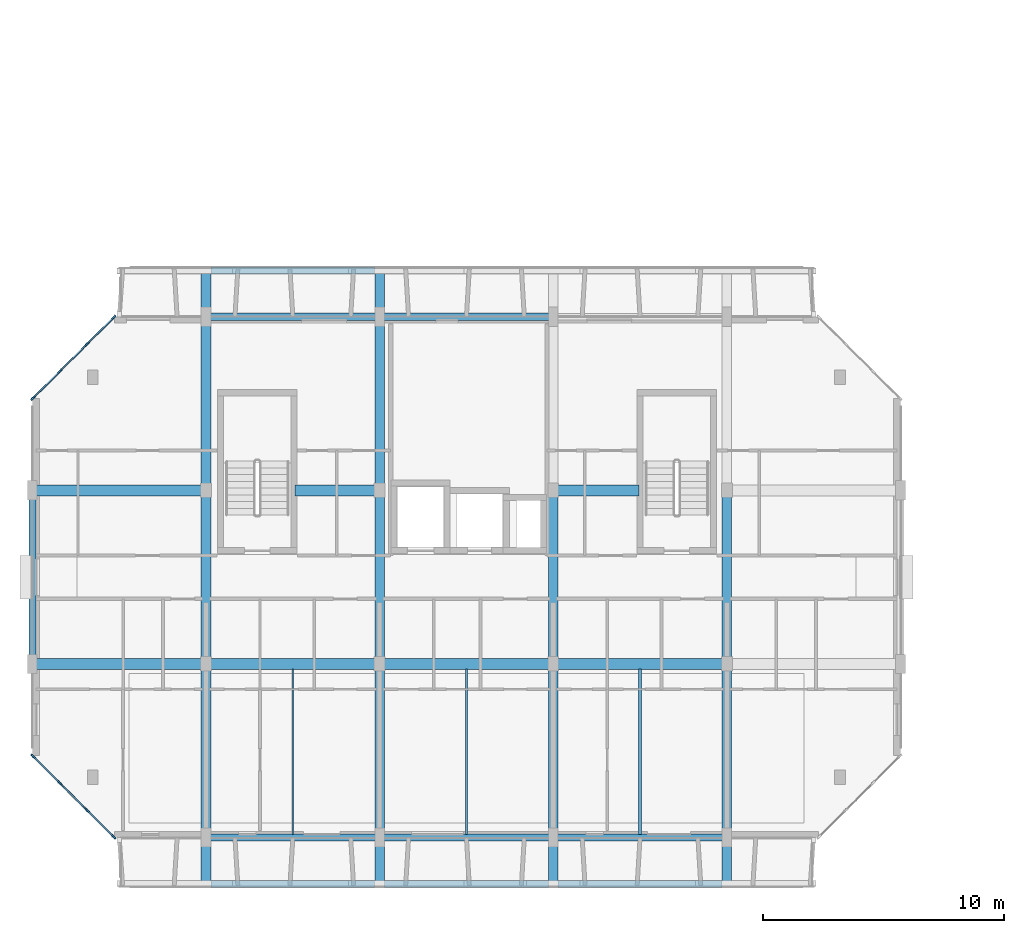
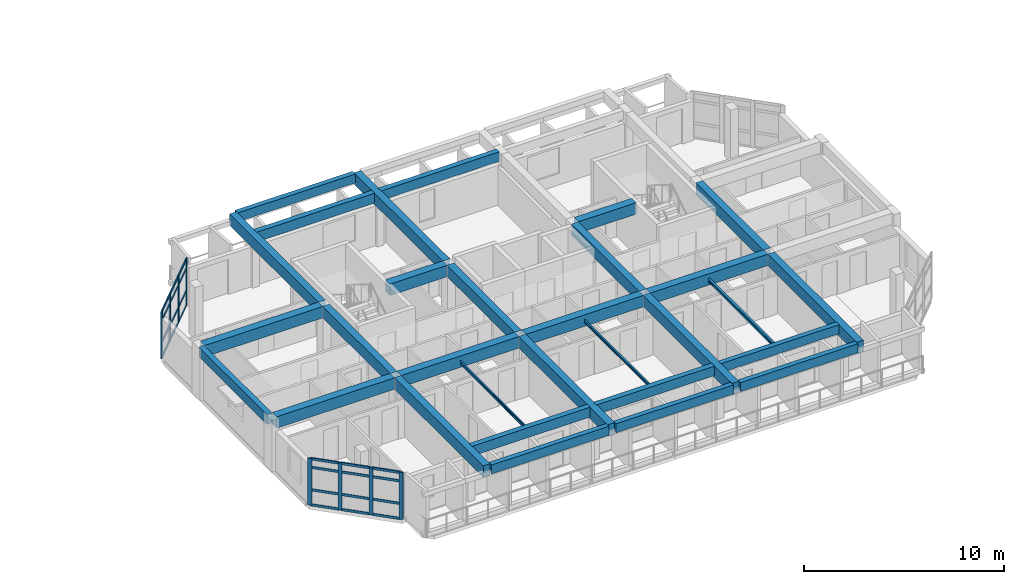
# One storey, part 3 of 46: 32 members, 30 beams, 2 elements without a shape of their own.
"""IFC4 building model written with IfcOpenShell, lengths in metres."""

from ifc_helpers import new_model, si_unit, direction, frame, origin, origin_2d, place, context, subcontext, project, spatial, rectangle, i_section, u_section, extrude, material, layer, layer_set, material_profile, profile_set, type_object, element, aggregate, save


model = new_model("IFC4")

# Units and contexts
model_context = context("Model", 3, precision=1e-05, world=origin(), true_north=direction((0.0, 1.0)))
body_context = subcontext(model_context, "Body", "Model", "MODEL_VIEW")
ifc_project = project(units=[si_unit("LENGTHUNIT", "METRE"), si_unit("AREAUNIT", "SQUARE_METRE"), si_unit("VOLUMEUNIT", "CUBIC_METRE"), si_unit("PLANEANGLEUNIT", "RADIAN"), si_unit("MASSUNIT", "GRAM", prefix="KILO")], contexts=[model_context])

# Site, building, storey
site_placement = place(None, origin())
site = spatial("IfcSite", under=ifc_project, at=site_placement, CompositionType="ELEMENT")
building_placement = place(site_placement, origin())
building = spatial("IfcBuilding", under=site, at=building_placement, Name="Ochrevale Crest", CompositionType="ELEMENT")
storey_placement = place(building_placement, frame((0.0, 0.0, 24.449951171875)))
storey = spatial("IfcBuildingStorey", under=building, at=storey_placement, Name="L07", CompositionType="ELEMENT", Elevation=24.449951171875)

# Beams
ifc_material_1 = material(Name="Precast concrete C50/60", Category="concrete")
ifc_material_profile_1 = material_profile(ifc_material_1, rectangle(XDim=0.39990234375, YDim=0.699951171875, at=origin_2d()), Name="PC 400x700")
ifc_profile_set_1 = profile_set([ifc_material_profile_1], Name="Precast concrete C50/60")
beam_type_1 = type_object("IfcBeamType", Name="BM-PC400x700", PredefinedType="BEAM", material=ifc_profile_set_1)
beam_1_placement = place(storey_placement, frame((7.199951171875, 12.47998046875, 2.800048828125), z_axis=(0.0, 1.0, 0.0), x_axis=(-1.0, 0.0, 0.0)))
element("IfcBeam", 1, at=beam_1_placement, inside=storey, type_object=beam_type_1, Name="Block A L07 N-S beam X=7.2", PredefinedType="BEAM", context=body_context, shape_type="SweptSolid", body=[
    extrude(rectangle(XDim=0.39990234375, YDim=0.699951171875, at=origin_2d()), origin(), (0.0, 0.0, 1.0), 8.9150390625),
])
beam_2_placement = place(storey_placement, frame((7.199951171875, 21.804931640625, 2.800048828125), z_axis=(0.0, 1.0, 0.0), x_axis=(-1.0, 0.0, 0.0)))
element("IfcBeam", 2, at=beam_2_placement, inside=storey, type_object=beam_type_1, Name="Block A L07 N-S beam X=7.2", PredefinedType="BEAM", context=body_context, shape_type="SweptSolid", body=[
    extrude(rectangle(XDim=0.39990234375, YDim=0.699951171875, at=origin_2d()), origin(), (0.0, 0.0, 1.0), 6.7900390625),
])
for number, where, z_axis, x_axis, name in (
    (3, (7.199951171875, 29.0048828125, 2.800048828125), (0.0, 1.0, 0.0), (-1.0, 0.0, 0.0), "Block A L07 N-S beam X=7.2"),
    (4, (14.39990234375, 12.47998046875, 2.800048828125), (0.0, 1.0, 0.0), (-1.0, 0.0, 0.0), "Block A L07 N-S beam X=14.4"),
):
    element("IfcBeam", number, at=place(storey_placement, frame(where, z_axis=z_axis, x_axis=x_axis)), inside=storey, type_object=beam_type_1, Name=name, PredefinedType="BEAM", context=body_context, shape_type="SweptSolid", body=[
        extrude(rectangle(XDim=0.39990234375, YDim=0.699951171875, at=origin_2d()), origin(), (0.0, 0.0, 1.0), 8.9150390625),
    ])
beam_3_placement = place(storey_placement, frame((14.39990234375, 21.804931640625, 2.800048828125), z_axis=(0.0, 1.0, 0.0), x_axis=(-1.0, 0.0, 0.0)))
element("IfcBeam", 5, at=beam_3_placement, inside=storey, type_object=beam_type_1, Name="Block A L07 N-S beam X=14.4", PredefinedType="BEAM", context=body_context, shape_type="SweptSolid", body=[
    extrude(rectangle(XDim=0.39990234375, YDim=0.699951171875, at=origin_2d()), origin(), (0.0, 0.0, 1.0), 6.7900390625),
])
for number, where, z_axis, x_axis, name in (
    (6, (14.39990234375, 29.0048828125, 2.800048828125), (0.0, 1.0, 0.0), (-1.0, 0.0, 0.0), "Block A L07 N-S beam X=14.4"),
    (7, (21.60009765625, 12.47998046875, 2.800048828125), (0.0, 1.0, 0.0), (-1.0, 0.0, 0.0), "Block A L07 N-S beam X=21.6"),
):
    element("IfcBeam", number, at=place(storey_placement, frame(where, z_axis=z_axis, x_axis=x_axis)), inside=storey, type_object=beam_type_1, Name=name, PredefinedType="BEAM", context=body_context, shape_type="SweptSolid", body=[
        extrude(rectangle(XDim=0.39990234375, YDim=0.699951171875, at=origin_2d()), origin(), (0.0, 0.0, 1.0), 8.9150390625),
    ])
beam_4_placement = place(storey_placement, frame((21.60009765625, 21.804931640625, 2.800048828125), z_axis=(0.0, 1.0, 0.0), x_axis=(-1.0, 0.0, 0.0)))
element("IfcBeam", 8, at=beam_4_placement, inside=storey, type_object=beam_type_1, Name="Block A L07 N-S beam X=21.6", PredefinedType="BEAM", context=body_context, shape_type="SweptSolid", body=[
    extrude(rectangle(XDim=0.39990234375, YDim=0.699951171875, at=origin_2d()), origin(), (0.0, 0.0, 1.0), 6.7900390625),
])
beam_5_placement = place(storey_placement, frame((28.800048828125, 12.47998046875, 2.800048828125), z_axis=(0.0, 1.0, 0.0), x_axis=(-1.0, 0.0, 0.0)))
element("IfcBeam", 9, at=beam_5_placement, inside=storey, type_object=beam_type_1, Name="Block A L07 N-S beam X=28.8", PredefinedType="BEAM", context=body_context, shape_type="SweptSolid", body=[
    extrude(rectangle(XDim=0.39990234375, YDim=0.699951171875, at=origin_2d()), origin(), (0.0, 0.0, 1.0), 8.9150390625),
])
beam_6_placement = place(storey_placement, frame((28.800048828125, 21.804931640625, 2.800048828125), z_axis=(0.0, 1.0, 0.0), x_axis=(-1.0, 0.0, 0.0)))
element("IfcBeam", 10, at=beam_6_placement, inside=storey, type_object=beam_type_1, Name="Block A L07 N-S beam X=28.8", PredefinedType="BEAM", context=body_context, shape_type="SweptSolid", body=[
    extrude(rectangle(XDim=0.39990234375, YDim=0.699951171875, at=origin_2d()), origin(), (0.0, 0.0, 1.0), 6.7900390625),
])
ifc_material_2 = material(Name="Steel S355", Category="steel")
ifc_material_profile_2 = material_profile(ifc_material_2, u_section(Depth=0.199951171875, FlangeWidth=0.074951171875, WebThickness=0.006103515625, FlangeThickness=0.011962890625, FilletRadius=0.011962890625, at=origin_2d()), Name="200PFC")
ifc_profile_set_2 = profile_set([ifc_material_profile_2], Name="Steel S355")
beam_type_2 = type_object("IfcBeamType", Name="BM-PFC200", PredefinedType="JOIST", material=ifc_profile_set_2)
beam_7_placement = place(storey_placement, frame((10.800048828125, 14.5380859375, 2.775146484375), z_axis=(0.0, 1.0, 0.0), x_axis=(-1.0, 0.0, 0.0)))
element("IfcBeam", 11, at=beam_7_placement, inside=storey, type_object=beam_type_2, Name="Block A L07 composite plank trimmer beam 2", PredefinedType="JOIST", context=body_context, shape_type="SweptSolid", body=[
    extrude(u_section(Depth=0.199951171875, FlangeWidth=0.074951171875, WebThickness=0.006103515625, FlangeThickness=0.011962890625, FilletRadius=0.011962890625, at=origin_2d()), origin(), (0.0, 0.0, 1.0), 6.848876953125),
])
ifc_material_3 = material(Name="Concrete C50/60", Category="concrete")
ifc_material_profile_3 = material_profile(ifc_material_3, rectangle(XDim=0.449951171875, YDim=0.699951171875, at=origin_2d()), Name="RC 450x700")
ifc_profile_set_3 = profile_set([ifc_material_profile_3], Name="Concrete C50/60")
beam_type_3 = type_object("IfcBeamType", Name="BM-PG450x700", PredefinedType="USERDEFINED", material=ifc_profile_set_3)
beam_8_placement = place(storey_placement, frame((0.175048828125, 21.60009765625, 2.800048828125), z_axis=(1.0, 0.0, 0.0), x_axis=(0.0, 1.0, 0.0)))
element("IfcBeam", 12, at=beam_8_placement, inside=storey, type_object=beam_type_3, Name="Block A L07 E-W beam Y=21.6", ObjectType="GIRDER", PredefinedType="USERDEFINED", context=body_context, shape_type="SweptSolid", body=[
    extrude(rectangle(XDim=0.449951171875, YDim=0.699951171875, at=origin_2d()), origin(), (0.0, 0.0, 1.0), 6.824951171875),
])
beam_9_placement = place(storey_placement, frame((7.39990234375, 21.60009765625, 2.800048828125), z_axis=(1.0, 0.0, 0.0), x_axis=(0.0, 1.0, 0.0)))
element("IfcBeam", 13, at=beam_9_placement, inside=storey, type_object=beam_type_3, Name="Block A L07 E-W beam Y=21.6", ObjectType="GIRDER", PredefinedType="USERDEFINED", context=body_context, shape_type="SweptSolid", body=[
    extrude(rectangle(XDim=0.449951171875, YDim=0.699951171875, at=origin_2d()), origin(), (0.0, 0.0, 1.0), 6.800048828125),
])
beam_10_placement = place(storey_placement, frame((14.60009765625, 21.60009765625, 2.800048828125), z_axis=(1.0, 0.0, 0.0), x_axis=(0.0, 1.0, 0.0)))
element("IfcBeam", 14, at=beam_10_placement, inside=storey, type_object=beam_type_3, Name="Block A L07 E-W beam Y=21.6", ObjectType="GIRDER", PredefinedType="USERDEFINED", context=body_context, shape_type="SweptSolid", body=[
    extrude(rectangle(XDim=0.449951171875, YDim=0.699951171875, at=origin_2d()), origin(), (0.0, 0.0, 1.0), 6.7998046875),
])
beam_11_placement = place(storey_placement, frame((21.800048828125, 21.60009765625, 2.800048828125), z_axis=(1.0, 0.0, 0.0), x_axis=(0.0, 1.0, 0.0)))
element("IfcBeam", 15, at=beam_11_placement, inside=storey, type_object=beam_type_3, Name="Block A L07 E-W beam Y=21.6", ObjectType="GIRDER", PredefinedType="USERDEFINED", context=body_context, shape_type="SweptSolid", body=[
    extrude(rectangle(XDim=0.449951171875, YDim=0.699951171875, at=origin_2d()), origin(), (0.0, 0.0, 1.0), 6.800048828125),
])
beam_12_placement = place(storey_placement, frame((0.175048828125, 28.800048828125, 2.800048828125), z_axis=(1.0, 0.0, 0.0), x_axis=(0.0, 1.0, 0.0)))
element("IfcBeam", 16, at=beam_12_placement, inside=storey, type_object=beam_type_3, Name="Block A L07 E-W beam Y=28.8", ObjectType="GIRDER", PredefinedType="USERDEFINED", context=body_context, shape_type="SweptSolid", body=[
    extrude(rectangle(XDim=0.449951171875, YDim=0.699951171875, at=origin_2d()), origin(), (0.0, 0.0, 1.0), 6.824951171875),
])
beam_13_placement = place(storey_placement, frame((10.889892578125, 28.800048828125, 2.800048828125), z_axis=(1.0, 0.0, 0.0), x_axis=(0.0, 1.0, 0.0)))
element("IfcBeam", 17, at=beam_13_placement, inside=storey, type_object=beam_type_3, Name="Block A L07 E-W beam Y=28.8", ObjectType="GIRDER", PredefinedType="USERDEFINED", context=body_context, shape_type="SweptSolid", body=[
    extrude(rectangle(XDim=0.449951171875, YDim=0.699951171875, at=origin_2d()), origin(), (0.0, 0.0, 1.0), 3.31005859375),
])
beam_14_placement = place(storey_placement, frame((21.800048828125, 28.800048828125, 2.800048828125), z_axis=(1.0, 0.0, 0.0), x_axis=(0.0, 1.0, 0.0)))
element("IfcBeam", 18, at=beam_14_placement, inside=storey, type_object=beam_type_3, Name="Block A L07 E-W beam Y=28.8", ObjectType="GIRDER", PredefinedType="USERDEFINED", context=body_context, shape_type="SweptSolid", body=[
    extrude(rectangle(XDim=0.449951171875, YDim=0.699951171875, at=origin_2d()), origin(), (0.0, 0.0, 1.0), 3.35986328125),
])
ifc_material_4 = material(Name="Precast concrete C40/50", Category="concrete")
ifc_material_profile_4 = material_profile(ifc_material_4, rectangle(XDim=0.280029296875, YDim=0.550048828125, at=origin_2d()), Name="PC 280x550")
ifc_profile_set_4 = profile_set([ifc_material_profile_4], Name="Precast concrete C40/50")
beam_type_4 = type_object("IfcBeamType", Name="BM-SP280x550", PredefinedType="SPANDREL", material=ifc_profile_set_4)
beam_15_placement = place(storey_placement, frame((21.77490234375, 14.39990234375, 2.875), z_axis=(1.0, 0.0, 0.0), x_axis=(0.0, 1.0, 0.0)))
element("IfcBeam", 19, at=beam_15_placement, inside=storey, type_object=beam_type_4, Name="Block A L07 E-W beam Y=14.4", PredefinedType="SPANDREL", context=body_context, shape_type="SweptSolid", body=[
    extrude(rectangle(XDim=0.280029296875, YDim=0.550048828125, at=origin_2d()), origin(), (0.0, 0.0, 1.0), 6.85009765625),
])
for number, where, z_axis, x_axis, name in (
    (20, (7.405029296875, 12.47998046875, 2.875), (1.0, 0.0, 0.0), (0.0, 1.0, 0.0), "Block A L07 top-loggia precast ring lintel S-1"),
    (21, (14.60498046875, 12.47998046875, 2.875), (1.0, 0.0, 0.0), (0.0, 1.0, 0.0), "Block A L07 top-loggia precast ring lintel S-2"),
    (22, (21.804931640625, 12.47998046875, 2.875), (1.0, 0.0, 0.0), (0.0, 1.0, 0.0), "Block A L07 top-loggia precast ring lintel S-3"),
    (23, (7.405029296875, 37.919921875, 2.875), (1.0, 0.0, 0.0), (0.0, 1.0, 0.0), "Block A L07 top-loggia precast ring lintel N-1"),
):
    element("IfcBeam", number, at=place(storey_placement, frame(where, z_axis=z_axis, x_axis=x_axis)), inside=storey, type_object=beam_type_4, Name=name, PredefinedType="SPANDREL", context=body_context, shape_type="SweptSolid", body=[
        extrude(rectangle(XDim=0.280029296875, YDim=0.550048828125, at=origin_2d()), origin(), (0.0, 0.0, 1.0), 6.7900390625),
    ])
ifc_material_profile_5 = material_profile(ifc_material_4, rectangle(XDim=0.300048828125, YDim=0.580078125, at=origin_2d()), Name="PC 300x580")
ifc_profile_set_5 = profile_set([ifc_material_profile_5], Name="Precast concrete C40/50")
beam_type_5 = type_object("IfcBeamType", Name="BM-SP300x580", PredefinedType="SPANDREL", material=ifc_profile_set_5)
for number, where, z_axis, x_axis, name in (
    (24, (14.574951171875, 14.39990234375, 2.860107421875), (1.0, 0.0, 0.0), (0.0, 1.0, 0.0), "Block A L07 E-W beam Y=14.4"),
    (25, (14.574951171875, 36.0, 2.860107421875), (1.0, 0.0, 0.0), (0.0, 1.0, 0.0), "Block A L07 E-W beam Y=36.0"),
):
    element("IfcBeam", number, at=place(storey_placement, frame(where, z_axis=z_axis, x_axis=x_axis)), inside=storey, type_object=beam_type_5, Name=name, PredefinedType="SPANDREL", context=body_context, shape_type="SweptSolid", body=[
        extrude(rectangle(XDim=0.300048828125, YDim=0.580078125, at=origin_2d()), origin(), (0.0, 0.0, 1.0), 6.85009765625),
    ])
ifc_material_profile_6 = material_profile(ifc_material_4, rectangle(XDim=0.300048828125, YDim=0.60009765625, at=origin_2d()), Name="PC 300x600")
ifc_profile_set_6 = profile_set([ifc_material_profile_6], Name="Precast concrete C40/50")
beam_type_6 = type_object("IfcBeamType", Name="BM-SP300x600", PredefinedType="SPANDREL", material=ifc_profile_set_6)
for number, where, z_axis, x_axis, name in (
    (26, (7.375, 14.39990234375, 2.85009765625), (1.0, 0.0, 0.0), (0.0, 1.0, 0.0), "Block A L07 E-W beam Y=14.4"),
    (27, (7.375, 36.0, 2.85009765625), (1.0, 0.0, 0.0), (0.0, 1.0, 0.0), "Block A L07 E-W beam Y=36.0"),
):
    element("IfcBeam", number, at=place(storey_placement, frame(where, z_axis=z_axis, x_axis=x_axis)), inside=storey, type_object=beam_type_6, Name=name, PredefinedType="SPANDREL", context=body_context, shape_type="SweptSolid", body=[
        extrude(rectangle(XDim=0.300048828125, YDim=0.60009765625, at=origin_2d()), origin(), (0.0, 0.0, 1.0), 6.85009765625),
    ])
beam_16_placement = place(storey_placement, frame((0.0, 21.780029296875, 2.85009765625), z_axis=(0.0, 1.0, 0.0), x_axis=(-1.0, 0.0, 0.0)))
element("IfcBeam", 28, at=beam_16_placement, inside=storey, type_object=beam_type_6, Name="Block A L07 N-S beam X=0.0", PredefinedType="SPANDREL", context=body_context, shape_type="SweptSolid", body=[
    extrude(rectangle(XDim=0.300048828125, YDim=0.60009765625, at=origin_2d()), origin(), (0.0, 0.0, 1.0), 6.840087890625),
])
ifc_material_profile_7 = material_profile(ifc_material_2, i_section(OverallWidth=0.090087890625, OverallDepth=0.1787109375, WebThickness=0.006103515625, FlangeThickness=0.010009765625, FilletRadius=0.0087890625, at=origin_2d()), Name="180UB22.2")
ifc_profile_set_7 = profile_set([ifc_material_profile_7], Name="Steel S355")
beam_type_7 = type_object("IfcBeamType", Name="BM-UB180", PredefinedType="JOIST", material=ifc_profile_set_7)
beam_17_placement = place(storey_placement, frame((18.0, 14.5380859375, 2.78564453125), z_axis=(0.0, 1.0, 0.0), x_axis=(-1.0, 0.0, 0.0)))
element("IfcBeam", 29, at=beam_17_placement, inside=storey, type_object=beam_type_7, Name="Block A L07 composite plank trimmer beam 3", PredefinedType="JOIST", context=body_context, shape_type="SweptSolid", body=[
    extrude(i_section(OverallWidth=0.090087890625, OverallDepth=0.1787109375, WebThickness=0.006103515625, FlangeThickness=0.010009765625, FilletRadius=0.0087890625, at=origin_2d()), origin(), (0.0, 0.0, 1.0), 6.848876953125),
])
ifc_material_profile_8 = material_profile(ifc_material_2, i_section(OverallWidth=0.13330078125, OverallDepth=0.203125, WebThickness=0.005859375, FlangeThickness=0.0078125, FilletRadius=0.0087890625, at=origin_2d()), Name="200UB25.4")
ifc_profile_set_8 = profile_set([ifc_material_profile_8], Name="Steel S355")
beam_type_8 = type_object("IfcBeamType", Name="BM-UB200A", PredefinedType="JOIST", material=ifc_profile_set_8)
beam_18_placement = place(storey_placement, frame((25.199951171875, 14.528076171875, 2.7734375), z_axis=(0.0, 1.0, 0.0), x_axis=(-1.0, 0.0, 0.0)))
element("IfcBeam", 30, at=beam_18_placement, inside=storey, type_object=beam_type_8, Name="Block A L07 composite plank trimmer beam 4", PredefinedType="JOIST", context=body_context, shape_type="SweptSolid", body=[
    extrude(i_section(OverallWidth=0.13330078125, OverallDepth=0.203125, WebThickness=0.005859375, FlangeThickness=0.0078125, FilletRadius=0.0087890625, at=origin_2d()), origin(), (0.0, 0.0, 1.0), 6.85888671875),
])

# Curtain wall, members
ifc_material_5 = material(Name="Anodised aluminium 6063-T5", Category="aluminium")
ifc_layer_1 = layer(ifc_material_5, 0.14990234375)
ifc_layer_set_1 = layer_set([ifc_layer_1], Name="Anodised aluminium 6063-T5")
curtain_wall_type_1 = type_object("IfcCurtainWallType", Name="CW-WG-360x285", PredefinedType="NOTDEFINED", material=ifc_layer_set_1)
curtain_wall_1_placement = place(storey_placement, origin())
curtain_wall_1 = element("IfcCurtainWall", 31, at=curtain_wall_1_placement, inside=storey, type_object=curtain_wall_type_1, Name="Block A L07 chamfered corner wintergarden curtain wall 6", PredefinedType="NOTDEFINED")
ifc_material_profile_9 = material_profile(ifc_material_5, rectangle(XDim=0.074951171875, YDim=0.219970703125, at=origin_2d()), Name="ALU 75x220")
ifc_profile_set_9 = profile_set([ifc_material_profile_9], Name="Anodised aluminium 6063-T5")
member_type_1 = type_object("IfcMemberType", Name="CW-MUL-75x220", PredefinedType="MULLION", material=ifc_profile_set_9)
member_1_placement = place(storey_placement, frame((3.37353515625, 35.973388671875, 0.0), z_axis=(0.0, 0.0, 1.0), x_axis=(0.707106781187, -0.707106781187, 0.0)))
member_1 = element("IfcMember", 32, at=member_1_placement, type_object=member_type_1, Name="CW18 mullion 1", PredefinedType="MULLION", context=body_context, shape_type="SweptSolid", body=[
    extrude(rectangle(XDim=0.074951171875, YDim=0.219970703125, at=origin_2d()), origin(), (0.0, 0.0, 1.0), 2.875),
])
member_2_placement = place(storey_placement, frame((2.2666015625, 34.86669921875, 0.0), z_axis=(0.0, 0.0, 1.0), x_axis=(0.707106781187, -0.707106781187, 0.0)))
member_2 = element("IfcMember", 33, at=member_2_placement, type_object=member_type_1, Name="CW18 mullion 2", PredefinedType="MULLION", context=body_context, shape_type="SweptSolid", body=[
    extrude(rectangle(XDim=0.074951171875, YDim=0.219970703125, at=origin_2d()), origin(), (0.0, 0.0, 1.0), 2.875),
])
member_3_placement = place(storey_placement, frame((1.13330078125, 33.7333984375, 0.0), z_axis=(0.0, 0.0, 1.0), x_axis=(0.707106781187, -0.707106781187, 0.0)))
member_3 = element("IfcMember", 34, at=member_3_placement, type_object=member_type_1, Name="CW18 mullion 3", PredefinedType="MULLION", context=body_context, shape_type="SweptSolid", body=[
    extrude(rectangle(XDim=0.074951171875, YDim=0.219970703125, at=origin_2d()), origin(), (0.0, 0.0, 1.0), 2.875),
])
member_4_placement = place(storey_placement, frame((0.026611328125, 32.62646484375, 0.0), z_axis=(0.0, 0.0, 1.0), x_axis=(0.707106781187, -0.707106781187, 0.0)))
member_4 = element("IfcMember", 35, at=member_4_placement, type_object=member_type_1, Name="CW18 mullion 4", PredefinedType="MULLION", context=body_context, shape_type="SweptSolid", body=[
    extrude(rectangle(XDim=0.074951171875, YDim=0.219970703125, at=origin_2d()), origin(), (0.0, 0.0, 1.0), 2.875),
])

ifc_layer_2 = layer(ifc_material_5, 0.14990234375)
ifc_layer_set_2 = layer_set([ifc_layer_2], Name="Anodised aluminium 6063-T5")
curtain_wall_type_2 = type_object("IfcCurtainWallType", Name="CW-WG-240x285", PredefinedType="NOTDEFINED", material=ifc_layer_set_2)
curtain_wall_2_placement = place(storey_placement, origin())
curtain_wall_2 = element("IfcCurtainWall", 36, at=curtain_wall_2_placement, inside=storey, type_object=curtain_wall_type_2, Name="Block A L07 chamfered corner wintergarden curtain wall 8", PredefinedType="NOTDEFINED")
member_5_placement = place(storey_placement, frame((0.026611328125, 17.7734375, 0.0), z_axis=(0.0, 0.0, 1.0), x_axis=(0.707106781187, 0.707106781187, 0.0)))
member_5 = element("IfcMember", 37, at=member_5_placement, type_object=member_type_1, Name="CW15 mullion 1", PredefinedType="MULLION", context=body_context, shape_type="SweptSolid", body=[
    extrude(rectangle(XDim=0.074951171875, YDim=0.219970703125, at=origin_2d()), origin(), (0.0, 0.0, 1.0), 2.875),
])
member_6_placement = place(storey_placement, frame((1.13330078125, 16.666748046875, 0.0), z_axis=(0.0, 0.0, 1.0), x_axis=(0.707106781187, 0.707106781187, 0.0)))
member_6 = element("IfcMember", 38, at=member_6_placement, type_object=member_type_1, Name="CW15 mullion 2", PredefinedType="MULLION", context=body_context, shape_type="SweptSolid", body=[
    extrude(rectangle(XDim=0.074951171875, YDim=0.219970703125, at=origin_2d()), origin(), (0.0, 0.0, 1.0), 2.875),
])
member_7_placement = place(storey_placement, frame((2.2666015625, 15.533447265625, 0.0), z_axis=(0.0, 0.0, 1.0), x_axis=(0.707106781187, 0.707106781187, 0.0)))
member_7 = element("IfcMember", 39, at=member_7_placement, type_object=member_type_1, Name="CW15 mullion 3", PredefinedType="MULLION", context=body_context, shape_type="SweptSolid", body=[
    extrude(rectangle(XDim=0.074951171875, YDim=0.219970703125, at=origin_2d()), origin(), (0.0, 0.0, 1.0), 2.875),
])
member_8_placement = place(storey_placement, frame((3.37353515625, 14.426513671875, 0.0), z_axis=(0.0, 0.0, 1.0), x_axis=(0.707106781187, 0.707106781187, 0.0)))
member_8 = element("IfcMember", 40, at=member_8_placement, type_object=member_type_1, Name="CW15 mullion 4", PredefinedType="MULLION", context=body_context, shape_type="SweptSolid", body=[
    extrude(rectangle(XDim=0.074951171875, YDim=0.219970703125, at=origin_2d()), origin(), (0.0, 0.0, 1.0), 2.875),
])

# Member
ifc_material_profile_10 = material_profile(ifc_material_5, rectangle(XDim=0.06005859375, YDim=0.14990234375, at=origin_2d()), Name="ALU 60x150")
ifc_profile_set_10 = profile_set([ifc_material_profile_10], Name="Anodised aluminium 6063-T5")
member_type_2 = type_object("IfcMemberType", Name="CW-TRN-60x150", PredefinedType="USERDEFINED", material=ifc_profile_set_10)
member_9_placement = place(storey_placement, frame((3.346923828125, 35.947021484375, 0.030029296875), z_axis=(-0.70702486902, -0.707188683865, 0.0), x_axis=(0.707188683865, -0.70702486902, 0.0)))
member_9 = element("IfcMember", 41, at=member_9_placement, type_object=member_type_2, Name="CW18 transom 1.1", ObjectType="TRANSOM", PredefinedType="USERDEFINED", context=body_context, shape_type="SweptSolid", body=[
    extrude(rectangle(XDim=0.06005859375, YDim=0.14990234375, at=origin_2d()), origin(), (0.0, 0.0, 1.0), 1.490234375),
])

member_10_placement = place(storey_placement, frame((3.346923828125, 35.947021484375, 0.949951171875), z_axis=(-0.70702486902, -0.707188683865, 0.0), x_axis=(0.707188683865, -0.70702486902, 0.0)))
member_10 = element("IfcMember", 42, at=member_10_placement, type_object=member_type_2, Name="CW18 transom 1.2", ObjectType="TRANSOM", PredefinedType="USERDEFINED", context=body_context, shape_type="SweptSolid", body=[
    extrude(rectangle(XDim=0.06005859375, YDim=0.14990234375, at=origin_2d()), origin(), (0.0, 0.0, 1.0), 1.490234375),
])

member_11_placement = place(storey_placement, frame((3.346923828125, 35.947021484375, 2.324951171875), z_axis=(-0.70702486902, -0.707188683865, 0.0), x_axis=(0.707188683865, -0.70702486902, 0.0)))
member_11 = element("IfcMember", 43, at=member_11_placement, type_object=member_type_2, Name="CW18 transom 1.3", ObjectType="TRANSOM", PredefinedType="USERDEFINED", context=body_context, shape_type="SweptSolid", body=[
    extrude(rectangle(XDim=0.06005859375, YDim=0.14990234375, at=origin_2d()), origin(), (0.0, 0.0, 1.0), 1.490234375),
])

member_12_placement = place(storey_placement, frame((3.346923828125, 35.947021484375, 2.844970703125), z_axis=(-0.70702486902, -0.707188683865, 0.0), x_axis=(0.707188683865, -0.70702486902, 0.0)))
member_12 = element("IfcMember", 44, at=member_12_placement, type_object=member_type_2, Name="CW18 transom 1.4", ObjectType="TRANSOM", PredefinedType="USERDEFINED", context=body_context, shape_type="SweptSolid", body=[
    extrude(rectangle(XDim=0.06005859375, YDim=0.14990234375, at=origin_2d()), origin(), (0.0, 0.0, 1.0), 1.490234375),
])

member_13_placement = place(storey_placement, frame((2.240234375, 34.840087890625, 0.030029296875), z_axis=(-0.707106781187, -0.707106781187, 0.0), x_axis=(0.707106781187, -0.707106781187, 0.0)))
member_13 = element("IfcMember", 45, at=member_13_placement, type_object=member_type_2, Name="CW18 transom 2.1", ObjectType="TRANSOM", PredefinedType="USERDEFINED", context=body_context, shape_type="SweptSolid", body=[
    extrude(rectangle(XDim=0.06005859375, YDim=0.14990234375, at=origin_2d()), origin(), (0.0, 0.0, 1.0), 1.52783203125),
])

member_14_placement = place(storey_placement, frame((2.240234375, 34.840087890625, 0.949951171875), z_axis=(-0.707106781187, -0.707106781187, 0.0), x_axis=(0.707106781187, -0.707106781187, 0.0)))
member_14 = element("IfcMember", 46, at=member_14_placement, type_object=member_type_2, Name="CW18 transom 2.2", ObjectType="TRANSOM", PredefinedType="USERDEFINED", context=body_context, shape_type="SweptSolid", body=[
    extrude(rectangle(XDim=0.06005859375, YDim=0.14990234375, at=origin_2d()), origin(), (0.0, 0.0, 1.0), 1.52783203125),
])

member_15_placement = place(storey_placement, frame((2.240234375, 34.840087890625, 2.324951171875), z_axis=(-0.707106781187, -0.707106781187, 0.0), x_axis=(0.707106781187, -0.707106781187, 0.0)))
member_15 = element("IfcMember", 47, at=member_15_placement, type_object=member_type_2, Name="CW18 transom 2.3", ObjectType="TRANSOM", PredefinedType="USERDEFINED", context=body_context, shape_type="SweptSolid", body=[
    extrude(rectangle(XDim=0.06005859375, YDim=0.14990234375, at=origin_2d()), origin(), (0.0, 0.0, 1.0), 1.52783203125),
])

member_16_placement = place(storey_placement, frame((2.240234375, 34.840087890625, 2.844970703125), z_axis=(-0.707106781187, -0.707106781187, 0.0), x_axis=(0.707106781187, -0.707106781187, 0.0)))
member_16 = element("IfcMember", 48, at=member_16_placement, type_object=member_type_2, Name="CW18 transom 2.4", ObjectType="TRANSOM", PredefinedType="USERDEFINED", context=body_context, shape_type="SweptSolid", body=[
    extrude(rectangle(XDim=0.06005859375, YDim=0.14990234375, at=origin_2d()), origin(), (0.0, 0.0, 1.0), 1.52783203125),
])

member_17_placement = place(storey_placement, frame((1.10693359375, 33.706787109375, 0.030029296875), z_axis=(-0.707188683865, -0.70702486902, 0.0), x_axis=(0.70702486902, -0.707188683865, 0.0)))
member_17 = element("IfcMember", 49, at=member_17_placement, type_object=member_type_2, Name="CW18 transom 3.1", ObjectType="TRANSOM", PredefinedType="USERDEFINED", context=body_context, shape_type="SweptSolid", body=[
    extrude(rectangle(XDim=0.06005859375, YDim=0.14990234375, at=origin_2d()), origin(), (0.0, 0.0, 1.0), 1.490234375),
])

member_18_placement = place(storey_placement, frame((1.10693359375, 33.706787109375, 0.949951171875), z_axis=(-0.707188683865, -0.70702486902, 0.0), x_axis=(0.70702486902, -0.707188683865, 0.0)))
member_18 = element("IfcMember", 50, at=member_18_placement, type_object=member_type_2, Name="CW18 transom 3.2", ObjectType="TRANSOM", PredefinedType="USERDEFINED", context=body_context, shape_type="SweptSolid", body=[
    extrude(rectangle(XDim=0.06005859375, YDim=0.14990234375, at=origin_2d()), origin(), (0.0, 0.0, 1.0), 1.490234375),
])

member_19_placement = place(storey_placement, frame((1.10693359375, 33.706787109375, 2.324951171875), z_axis=(-0.707188683865, -0.70702486902, 0.0), x_axis=(0.70702486902, -0.707188683865, 0.0)))
member_19 = element("IfcMember", 51, at=member_19_placement, type_object=member_type_2, Name="CW18 transom 3.3", ObjectType="TRANSOM", PredefinedType="USERDEFINED", context=body_context, shape_type="SweptSolid", body=[
    extrude(rectangle(XDim=0.06005859375, YDim=0.14990234375, at=origin_2d()), origin(), (0.0, 0.0, 1.0), 1.490234375),
])

member_20_placement = place(storey_placement, frame((1.10693359375, 33.706787109375, 2.844970703125), z_axis=(-0.707188683865, -0.70702486902, 0.0), x_axis=(0.70702486902, -0.707188683865, 0.0)))
member_20 = element("IfcMember", 52, at=member_20_placement, type_object=member_type_2, Name="CW18 transom 3.4", ObjectType="TRANSOM", PredefinedType="USERDEFINED", context=body_context, shape_type="SweptSolid", body=[
    extrude(rectangle(XDim=0.06005859375, YDim=0.14990234375, at=origin_2d()), origin(), (0.0, 0.0, 1.0), 1.490234375),
])

aggregate(curtain_wall_1, [member_1, member_2, member_3, member_4, member_9, member_10, member_11, member_12, member_13, member_14, member_15, member_16, member_17, member_18, member_19, member_20])

member_21_placement = place(storey_placement, frame((0.052978515625, 17.7470703125, 0.030029296875), z_axis=(0.707106781187, -0.707106781187, 0.0), x_axis=(0.707106781187, 0.707106781187, 0.0)))
member_21 = element("IfcMember", 53, at=member_21_placement, type_object=member_type_2, Name="CW15 transom 1.1", ObjectType="TRANSOM", PredefinedType="USERDEFINED", context=body_context, shape_type="SweptSolid", body=[
    extrude(rectangle(XDim=0.06005859375, YDim=0.14990234375, at=origin_2d()), origin(), (0.0, 0.0, 1.0), 1.490478515625),
])

member_22_placement = place(storey_placement, frame((0.052978515625, 17.7470703125, 0.949951171875), z_axis=(0.707106781187, -0.707106781187, 0.0), x_axis=(0.707106781187, 0.707106781187, 0.0)))
member_22 = element("IfcMember", 54, at=member_22_placement, type_object=member_type_2, Name="CW15 transom 1.2", ObjectType="TRANSOM", PredefinedType="USERDEFINED", context=body_context, shape_type="SweptSolid", body=[
    extrude(rectangle(XDim=0.06005859375, YDim=0.14990234375, at=origin_2d()), origin(), (0.0, 0.0, 1.0), 1.490478515625),
])

member_23_placement = place(storey_placement, frame((0.052978515625, 17.7470703125, 2.324951171875), z_axis=(0.707106781187, -0.707106781187, 0.0), x_axis=(0.707106781187, 0.707106781187, 0.0)))
member_23 = element("IfcMember", 55, at=member_23_placement, type_object=member_type_2, Name="CW15 transom 1.3", ObjectType="TRANSOM", PredefinedType="USERDEFINED", context=body_context, shape_type="SweptSolid", body=[
    extrude(rectangle(XDim=0.06005859375, YDim=0.14990234375, at=origin_2d()), origin(), (0.0, 0.0, 1.0), 1.490478515625),
])

member_24_placement = place(storey_placement, frame((0.052978515625, 17.7470703125, 2.844970703125), z_axis=(0.707106781187, -0.707106781187, 0.0), x_axis=(0.707106781187, 0.707106781187, 0.0)))
member_24 = element("IfcMember", 56, at=member_24_placement, type_object=member_type_2, Name="CW15 transom 1.4", ObjectType="TRANSOM", PredefinedType="USERDEFINED", context=body_context, shape_type="SweptSolid", body=[
    extrude(rectangle(XDim=0.06005859375, YDim=0.14990234375, at=origin_2d()), origin(), (0.0, 0.0, 1.0), 1.490478515625),
])

member_25_placement = place(storey_placement, frame((1.159912109375, 16.64013671875, 0.030029296875), z_axis=(0.707106781187, -0.707106781187, 0.0), x_axis=(0.707106781187, 0.707106781187, 0.0)))
member_25 = element("IfcMember", 57, at=member_25_placement, type_object=member_type_2, Name="CW15 transom 2.1", ObjectType="TRANSOM", PredefinedType="USERDEFINED", context=body_context, shape_type="SweptSolid", body=[
    extrude(rectangle(XDim=0.06005859375, YDim=0.14990234375, at=origin_2d()), origin(), (0.0, 0.0, 1.0), 1.52783203125),
])

member_26_placement = place(storey_placement, frame((1.159912109375, 16.64013671875, 0.949951171875), z_axis=(0.707106781187, -0.707106781187, 0.0), x_axis=(0.707106781187, 0.707106781187, 0.0)))
member_26 = element("IfcMember", 58, at=member_26_placement, type_object=member_type_2, Name="CW15 transom 2.2", ObjectType="TRANSOM", PredefinedType="USERDEFINED", context=body_context, shape_type="SweptSolid", body=[
    extrude(rectangle(XDim=0.06005859375, YDim=0.14990234375, at=origin_2d()), origin(), (0.0, 0.0, 1.0), 1.52783203125),
])

member_27_placement = place(storey_placement, frame((1.159912109375, 16.64013671875, 2.324951171875), z_axis=(0.707106781187, -0.707106781187, 0.0), x_axis=(0.707106781187, 0.707106781187, 0.0)))
member_27 = element("IfcMember", 59, at=member_27_placement, type_object=member_type_2, Name="CW15 transom 2.3", ObjectType="TRANSOM", PredefinedType="USERDEFINED", context=body_context, shape_type="SweptSolid", body=[
    extrude(rectangle(XDim=0.06005859375, YDim=0.14990234375, at=origin_2d()), origin(), (0.0, 0.0, 1.0), 1.52783203125),
])

member_28_placement = place(storey_placement, frame((1.159912109375, 16.64013671875, 2.844970703125), z_axis=(0.707106781187, -0.707106781187, 0.0), x_axis=(0.707106781187, 0.707106781187, 0.0)))
member_28 = element("IfcMember", 60, at=member_28_placement, type_object=member_type_2, Name="CW15 transom 2.4", ObjectType="TRANSOM", PredefinedType="USERDEFINED", context=body_context, shape_type="SweptSolid", body=[
    extrude(rectangle(XDim=0.06005859375, YDim=0.14990234375, at=origin_2d()), origin(), (0.0, 0.0, 1.0), 1.52783203125),
])

member_29_placement = place(storey_placement, frame((2.293212890625, 15.5068359375, 0.030029296875), z_axis=(0.707106781187, -0.707106781187, 0.0), x_axis=(0.707106781187, 0.707106781187, 0.0)))
member_29 = element("IfcMember", 61, at=member_29_placement, type_object=member_type_2, Name="CW15 transom 3.1", ObjectType="TRANSOM", PredefinedType="USERDEFINED", context=body_context, shape_type="SweptSolid", body=[
    extrude(rectangle(XDim=0.06005859375, YDim=0.14990234375, at=origin_2d()), origin(), (0.0, 0.0, 1.0), 1.490234375),
])

member_30_placement = place(storey_placement, frame((2.293212890625, 15.5068359375, 0.949951171875), z_axis=(0.707106781187, -0.707106781187, 0.0), x_axis=(0.707106781187, 0.707106781187, 0.0)))
member_30 = element("IfcMember", 62, at=member_30_placement, type_object=member_type_2, Name="CW15 transom 3.2", ObjectType="TRANSOM", PredefinedType="USERDEFINED", context=body_context, shape_type="SweptSolid", body=[
    extrude(rectangle(XDim=0.06005859375, YDim=0.14990234375, at=origin_2d()), origin(), (0.0, 0.0, 1.0), 1.490234375),
])

member_31_placement = place(storey_placement, frame((2.293212890625, 15.5068359375, 2.324951171875), z_axis=(0.707106781187, -0.707106781187, 0.0), x_axis=(0.707106781187, 0.707106781187, 0.0)))
member_31 = element("IfcMember", 63, at=member_31_placement, type_object=member_type_2, Name="CW15 transom 3.3", ObjectType="TRANSOM", PredefinedType="USERDEFINED", context=body_context, shape_type="SweptSolid", body=[
    extrude(rectangle(XDim=0.06005859375, YDim=0.14990234375, at=origin_2d()), origin(), (0.0, 0.0, 1.0), 1.490234375),
])

member_32_placement = place(storey_placement, frame((2.293212890625, 15.5068359375, 2.844970703125), z_axis=(0.707106781187, -0.707106781187, 0.0), x_axis=(0.707106781187, 0.707106781187, 0.0)))
member_32 = element("IfcMember", 64, at=member_32_placement, type_object=member_type_2, Name="CW15 transom 3.4", ObjectType="TRANSOM", PredefinedType="USERDEFINED", context=body_context, shape_type="SweptSolid", body=[
    extrude(rectangle(XDim=0.06005859375, YDim=0.14990234375, at=origin_2d()), origin(), (0.0, 0.0, 1.0), 1.490234375),
])

aggregate(curtain_wall_2, [member_5, member_6, member_7, member_8, member_21, member_22, member_23, member_24, member_25, member_26, member_27, member_28, member_29, member_30, member_31, member_32])

save(model, "model.ifc")
